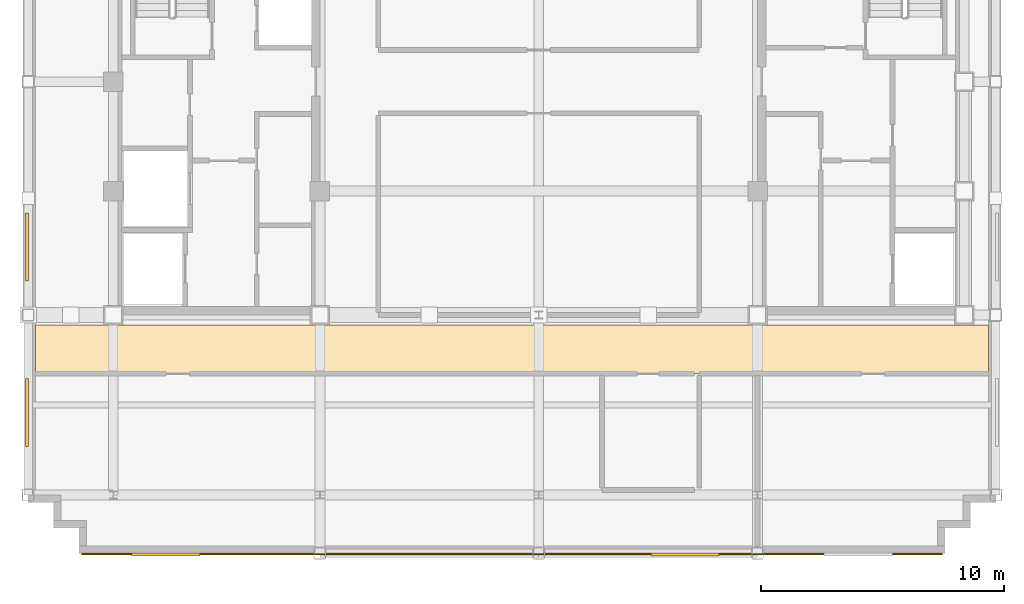
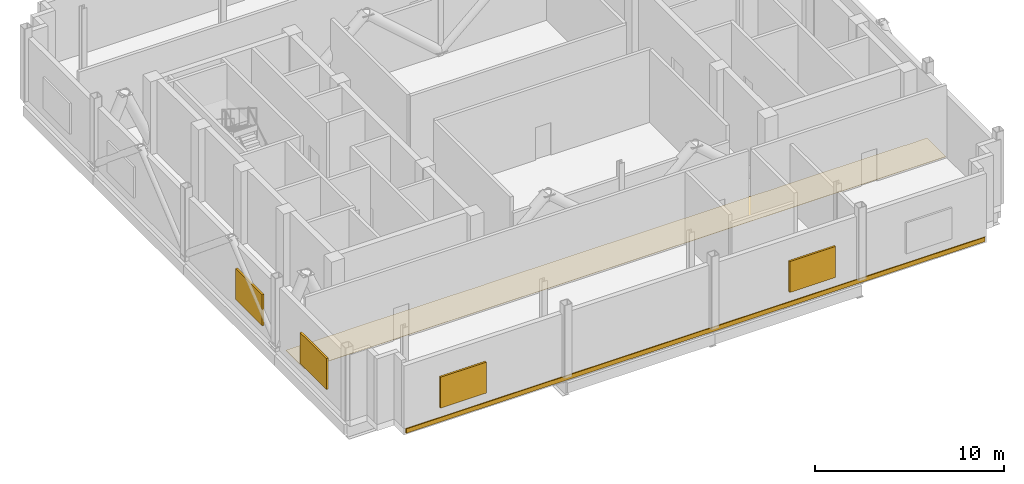
# One storey, part 9 of 12: 4 shading devices, 2 coverings.
"""IFC4 building model written with IfcOpenShell, lengths in metres."""

from ifc_helpers import new_model, si_unit, direction, frame, origin, origin_2d, place, context, subcontext, project, spatial, polyline, rectangle, outline, extrude, source, transform, mapped, material, layer, layer_set, type_object, type_shapes, element, save


model = new_model("IFC4")

# Units and contexts
model_context = context("Model", 3, precision=1e-05, world=origin(), true_north=direction((0.0, 1.0)))
body_context = subcontext(model_context, "Body", "Model", "MODEL_VIEW")
ifc_project = project(units=[si_unit("LENGTHUNIT", "METRE"), si_unit("AREAUNIT", "SQUARE_METRE"), si_unit("VOLUMEUNIT", "CUBIC_METRE"), si_unit("PLANEANGLEUNIT", "RADIAN"), si_unit("MASSUNIT", "GRAM", prefix="KILO")], contexts=[model_context])

# Site, building, storey
site_placement = place(None, origin())
site = spatial("IfcSite", under=ifc_project, at=site_placement, CompositionType="ELEMENT")
building_placement = place(site_placement, origin())
building = spatial("IfcBuilding", under=site, at=building_placement, Name="Nuvemarco Arch Tower", CompositionType="ELEMENT")
storey_placement = place(building_placement, frame((0.0, 0.0, 252.949951171875)))
storey = spatial("IfcBuildingStorey", under=building, at=storey_placement, Name="L67", CompositionType="ELEMENT", Elevation=252.949951171875)

# Covering
ifc_material_1 = material(Name="Polished granite terrazzostone flooring", Category="masonry")
ifc_layer_1 = layer(ifc_material_1, 0.02001953125, Name="COV-LOBBY-FLR")
ifc_layer_set_1 = layer_set([ifc_layer_1], Name="Polished granite terrazzostone flooring")
covering_type_1 = type_object("IfcCoveringType", Name="COV-LOBBY-FLR", PredefinedType="FLOORING", material=ifc_layer_set_1)
covering_1_placement = place(storey_placement, origin())
element("IfcCovering", 1, at=covering_1_placement, inside=storey, type_object=covering_type_1, Name="L67 polished terrazzo lobby flooring", PredefinedType="FLOORING", context=body_context, shape_type="SweptSolid", body=[
    extrude(outline(polyline([(-20.699951171875, -10.0), (-17.9150390625, -10.0), (-17.9150390625, -10.014892578125), (-17.0849609375, -10.014892578125), (-17.0849609375, -10.0), (-9.4150390625, -10.0), (-9.4150390625, -10.014892578125), (-8.5849609375, -10.014892578125), (-8.5849609375, -10.0), (8.5849609375, -10.0), (8.5849609375, -10.014892578125), (9.4150390625, -10.014892578125), (9.4150390625, -10.0), (17.0849609375, -10.0), (17.0849609375, -10.014892578125), (17.9150390625, -10.014892578125), (17.9150390625, -10.0), (18.5, -10.0), (18.5, -12.0), (9.0, -12.0), (6.60009765625, -12.0), (-6.60009765625, -12.0), (-9.0, -12.0), (-20.699951171875, -12.0), (-20.699951171875, -10.0)])), origin(), (0.0, 0.0, 1.0), 0.02001953125),
])

# Shading devices
ifc_material_2 = material(Name="Anodised aluminium 6063-T6", Category="aluminium")
shading_device_type = type_object("IfcShadingDeviceType", Name="SHD-LOUVRE-PLANT", PredefinedType="JALOUSIE", material=ifc_material_2)
shared_shape_1 = source(origin(), body_context, "Body", "SweptSolid", [
    extrude(rectangle(XDim=2.800048828125, YDim=0.1201171875, at=origin_2d()), origin(), (0.0, 0.0, 1.0), 2.0),
])
type_shapes(shading_device_type, [shared_shape_1])
for number, where, z_axis, x_axis, name in (
    (2, (-15.340087890625, -19.455078125, 0.650146484375), (0.0, 0.0, 1.0), (1.0, 0.0, 0.0), "L67 acoustic plant louvre panel 1"),
    (3, (6.02001953125, -19.455078125, 0.650146484375), (0.0, 0.0, 1.0), (1.0, 0.0, 0.0), "L67 acoustic plant louvre panel 4"),
    (4, (-21.054931640625, -13.603271484375, 0.650146484375), (0.0, 0.0, 1.0), (0.0, 1.0, 0.0), "L67 acoustic plant louvre panel 1"),
    (5, (-21.054931640625, -6.801513671875, 0.650146484375), (0.0, 0.0, 1.0), (0.0, 1.0, 0.0), "L67 acoustic plant louvre panel 2"),
):
    element("IfcShadingDevice", number, at=place(storey_placement, frame(where, z_axis=z_axis, x_axis=x_axis)), inside=storey, type_object=shading_device_type, Name=name, PredefinedType="JALOUSIE", context=body_context, shape_type="MappedRepresentation", body=[
        mapped(shared_shape_1, transform((0.0, 0.0, 0.0), scale=1.0)),
    ])

# Covering
ifc_material_3 = material(Name="Precast concrete C45/55", Category="concrete")
ifc_layer_2 = layer(ifc_material_3, 0.06005859375, Name="COV-SPANDREL-CLAD")
ifc_layer_set_2 = layer_set([ifc_layer_2], Name="Precast concrete C45/55")
covering_type_2 = type_object("IfcCoveringType", Name="COV-SPANDREL-CLAD", PredefinedType="CLADDING", material=ifc_layer_set_2)
shared_shape_2 = source(origin(), body_context, "Body", "SweptSolid", [
    extrude(rectangle(XDim=35.39990234375, YDim=0.06005859375, at=origin_2d()), origin(), (0.0, 0.0, 1.0), 0.280029296875),
])
type_shapes(covering_type_2, [shared_shape_2])
covering_2_placement = place(storey_placement, frame((-1.10009765625, -19.428955078125, -0.27978515625), z_axis=(0.0, 0.0, 1.0), x_axis=(1.0, 0.0, 0.0)))
element("IfcCovering", 6, at=covering_2_placement, inside=storey, type_object=covering_type_2, Name="L67 precast spandrel edge cladding south", PredefinedType="CLADDING", context=body_context, shape_type="MappedRepresentation", body=[
    mapped(shared_shape_2, transform((0.0, 0.0, 0.0), scale=1.0)),
])

save(model, "model.ifc")
